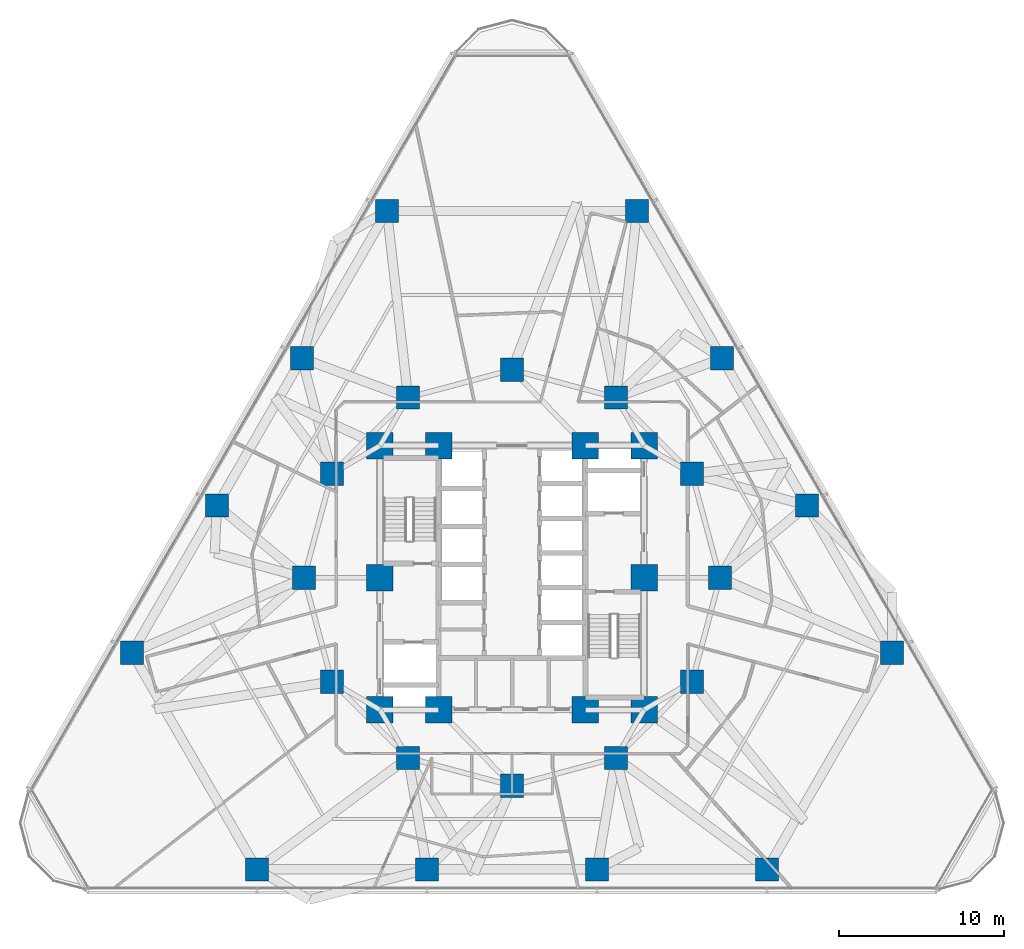
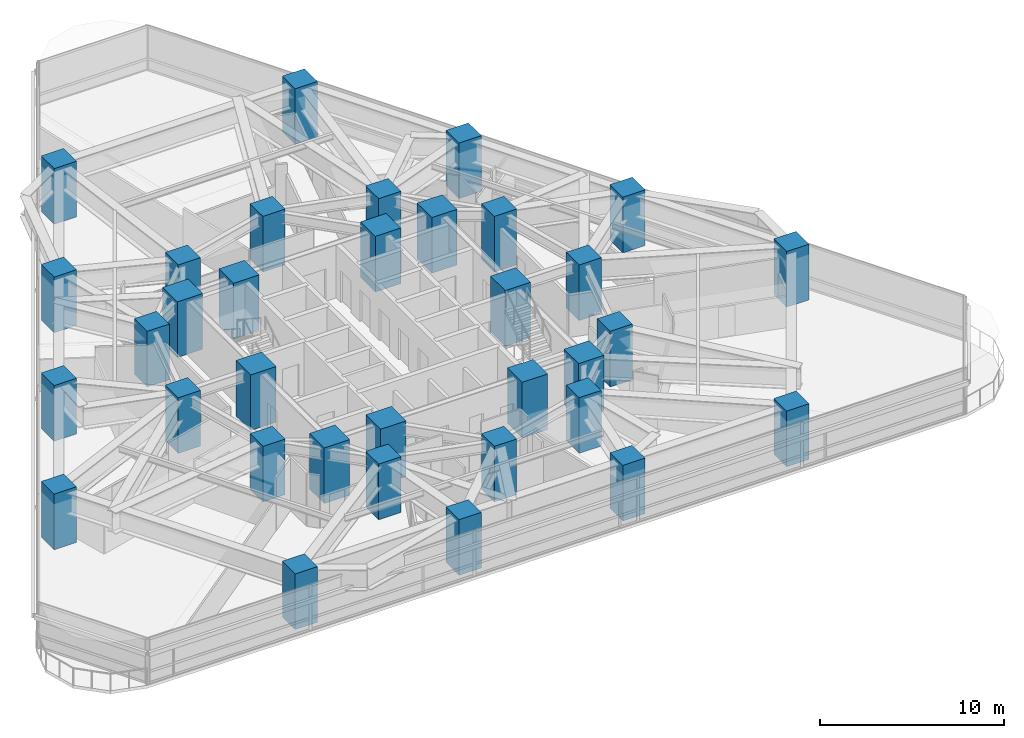
# One storey, part 1 of 15: 34 columns.
"""IFC4 building model written with IfcOpenShell, lengths in metres."""

from ifc_helpers import new_model, si_unit, direction, frame, origin, origin_2d, place, context, subcontext, project, spatial, rectangle, extrude, material, material_profile, profile_set, type_object, element, save


model = new_model("IFC4")

# Units and contexts
model_context = context("Model", 3, precision=1e-05, world=origin(), true_north=direction((0.0, 1.0)))
body_context = subcontext(model_context, "Body", "Model", "MODEL_VIEW")
ifc_project = project(units=[si_unit("LENGTHUNIT", "METRE"), si_unit("AREAUNIT", "SQUARE_METRE"), si_unit("VOLUMEUNIT", "CUBIC_METRE"), si_unit("PLANEANGLEUNIT", "RADIAN"), si_unit("MASSUNIT", "GRAM", prefix="KILO")], contexts=[model_context])

# Site, building, storey
site_placement = place(None, origin())
site = spatial("IfcSite", under=ifc_project, at=site_placement, CompositionType="ELEMENT")
building_placement = place(site_placement, origin())
building = spatial("IfcBuilding", under=site, at=building_placement, Name="Terralouvre Media Tower", CompositionType="ELEMENT")
storey_placement = place(building_placement, frame((0.0, 0.0, 51.89990234375)))
storey = spatial("IfcBuildingStorey", under=building, at=storey_placement, Name="L12", CompositionType="ELEMENT", Elevation=51.89990234375)

# Columns
ifc_material_1 = material(Name="Concrete C60/75", Category="concrete")
ifc_material_profile_1 = material_profile(ifc_material_1, rectangle(XDim=1.39990234375, YDim=1.39990234375, at=origin_2d()), Name="RC 1400x1400")
ifc_profile_set_1 = profile_set([ifc_material_profile_1], Name="Concrete C60/75")
column_type_1 = type_object("IfcColumnType", Name="Structural Column C-RC1400 (RC 1400x1400)", PredefinedType="COLUMN", material=ifc_profile_set_1)
for number, where, z_axis, x_axis, name in (
    (1, (12.60009765625, 0.0, 0.0), (0.0, 0.0, 1.0), (1.0, 0.0, 0.0), "L12 Mega-Frame Column MC01"),
    (2, (10.911865234375, 6.300048828125, 0.0), (0.0, 0.0, 1.0), (1.0, 0.0, 0.0), "L12 Mega-Frame Column MC02"),
    (3, (6.300048828125, 10.911865234375, 0.0), (0.0, 0.0, 1.0), (1.0, 0.0, 0.0), "L12 Mega-Frame Column MC03"),
    (4, (0.0, 12.60009765625, 0.0), (0.0, 0.0, 1.0), (1.0, 0.0, 0.0), "L12 Mega-Frame Column MC04"),
    (5, (-6.300048828125, 10.911865234375, 0.0), (0.0, 0.0, 1.0), (1.0, 0.0, 0.0), "L12 Mega-Frame Column MC05"),
    (6, (-10.911865234375, 6.300048828125, 0.0), (0.0, 0.0, 1.0), (1.0, 0.0, 0.0), "L12 Mega-Frame Column MC06"),
    (7, (-12.60009765625, 0.0, 0.0), (0.0, 0.0, 1.0), (1.0, 0.0, 0.0), "L12 Mega-Frame Column MC07"),
    (8, (-10.911865234375, -6.300048828125, 0.0), (0.0, 0.0, 1.0), (1.0, 0.0, 0.0), "L12 Mega-Frame Column MC08"),
    (9, (-6.300048828125, -10.911865234375, 0.0), (0.0, 0.0, 1.0), (1.0, 0.0, 0.0), "L12 Mega-Frame Column MC09"),
    (10, (0.0, -12.60009765625, 0.0), (0.0, 0.0, 1.0), (1.0, 0.0, 0.0), "L12 Mega-Frame Column MC10"),
    (11, (6.300048828125, -10.911865234375, 0.0), (0.0, 0.0, 1.0), (1.0, 0.0, 0.0), "L12 Mega-Frame Column MC11"),
    (12, (10.911865234375, -6.300048828125, 0.0), (0.0, 0.0, 1.0), (1.0, 0.0, 0.0), "L12 Mega-Frame Column MC12"),
    (13, (-15.449951171875, -17.666748046875, 0.0), (0.0, 0.0, 1.0), (1.0, 0.0, 0.0), "L12 Perimeter Mega-Column PC11"),
    (14, (-5.14990234375, -17.666748046875, 0.0), (0.0, 0.0, 1.0), (1.0, 0.0, 0.0), "L12 Perimeter Mega-Column PC12"),
    (15, (5.14990234375, -17.666748046875, 0.0), (0.0, 0.0, 1.0), (1.0, 0.0, 0.0), "L12 Perimeter Mega-Column PC13"),
    (16, (15.449951171875, -17.666748046875, 0.0), (0.0, 0.0, 1.0), (1.0, 0.0, 0.0), "L12 Perimeter Mega-Column PC14"),
    (17, (23.02490234375, -4.546630859375, 0.0), (0.0, 0.0, 1.0), (1.0, 0.0, 0.0), "L12 Perimeter Mega-Column PC21"),
    (18, (17.874755859375, 4.373291015625, 0.0), (0.0, 0.0, 1.0), (1.0, 0.0, 0.0), "L12 Perimeter Mega-Column PC22"),
    (19, (12.724853515625, 13.29345703125, 0.0), (0.0, 0.0, 1.0), (1.0, 0.0, 0.0), "L12 Perimeter Mega-Column PC23"),
    (20, (7.574951171875, 22.21337890625, 0.0), (0.0, 0.0, 1.0), (1.0, 0.0, 0.0), "L12 Perimeter Mega-Column PC24"),
    (21, (-7.574951171875, 22.21337890625, 0.0), (0.0, 0.0, 1.0), (1.0, 0.0, 0.0), "L12 Perimeter Mega-Column PC31"),
    (22, (-12.724853515625, 13.29345703125, 0.0), (0.0, 0.0, 1.0), (1.0, 0.0, 0.0), "L12 Perimeter Mega-Column PC32"),
    (23, (-17.874755859375, 4.373291015625, 0.0), (0.0, 0.0, 1.0), (1.0, 0.0, 0.0), "L12 Perimeter Mega-Column PC33"),
    (24, (-23.02490234375, -4.546630859375, 0.0), (0.0, 0.0, 1.0), (1.0, 0.0, 0.0), "L12 Perimeter Mega-Column PC34"),
):
    element("IfcColumn", number, at=place(storey_placement, frame(where, z_axis=z_axis, x_axis=x_axis)), inside=storey, type_object=column_type_1, Name=name, PredefinedType="COLUMN", context=body_context, shape_type="SweptSolid", body=[
        extrude(rectangle(XDim=1.39990234375, YDim=1.39990234375, at=origin_2d()), origin(), (0.0, 0.0, 1.0), 3.7001953125),
    ])
ifc_material_2 = material(Name="Concrete C60/75", Category="concrete")
ifc_material_profile_2 = material_profile(ifc_material_2, rectangle(XDim=1.60009765625, YDim=1.60009765625, at=origin_2d()), Name="RC 1600x1600")
ifc_profile_set_2 = profile_set([ifc_material_profile_2], Name="Concrete C60/75")
column_type_2 = type_object("IfcColumnType", Name="Structural Column C-RC1600 (RC 1600x1600)", PredefinedType="COLUMN", material=ifc_profile_set_2)
for number, where, z_axis, x_axis, name in (
    (25, (-8.0, -8.0, 0.0), (0.0, 0.0, 1.0), (1.0, 0.0, 0.0), "L12 Core Pilaster Column CP1"),
    (26, (-4.449951171875, -8.0, 0.0), (0.0, 0.0, 1.0), (1.0, 0.0, 0.0), "L12 Core Pilaster Column CP2"),
    (27, (4.449951171875, -8.0, 0.0), (0.0, 0.0, 1.0), (1.0, 0.0, 0.0), "L12 Core Pilaster Column CP10"),
    (28, (8.0, -8.0, 0.0), (0.0, 0.0, 1.0), (1.0, 0.0, 0.0), "L12 Core Pilaster Column CP3"),
    (29, (8.0, 0.0, 0.0), (0.0, 0.0, 1.0), (1.0, 0.0, 0.0), "L12 Core Pilaster Column CP4"),
    (30, (8.0, 8.0, 0.0), (0.0, 0.0, 1.0), (1.0, 0.0, 0.0), "L12 Core Pilaster Column CP5"),
    (31, (4.449951171875, 8.0, 0.0), (0.0, 0.0, 1.0), (1.0, 0.0, 0.0), "L12 Core Pilaster Column CP9"),
    (32, (-4.449951171875, 8.0, 0.0), (0.0, 0.0, 1.0), (1.0, 0.0, 0.0), "L12 Core Pilaster Column CP6"),
    (33, (-8.0, 8.0, 0.0), (0.0, 0.0, 1.0), (1.0, 0.0, 0.0), "L12 Core Pilaster Column CP7"),
    (34, (-8.0, 0.0, 0.0), (0.0, 0.0, 1.0), (1.0, 0.0, 0.0), "L12 Core Pilaster Column CP8"),
):
    element("IfcColumn", number, at=place(storey_placement, frame(where, z_axis=z_axis, x_axis=x_axis)), inside=storey, type_object=column_type_2, Name=name, PredefinedType="COLUMN", context=body_context, shape_type="SweptSolid", body=[
        extrude(rectangle(XDim=1.60009765625, YDim=1.60009765625, at=origin_2d()), origin(), (0.0, 0.0, 1.0), 3.7001953125),
    ])

save(model, "model.ifc")
